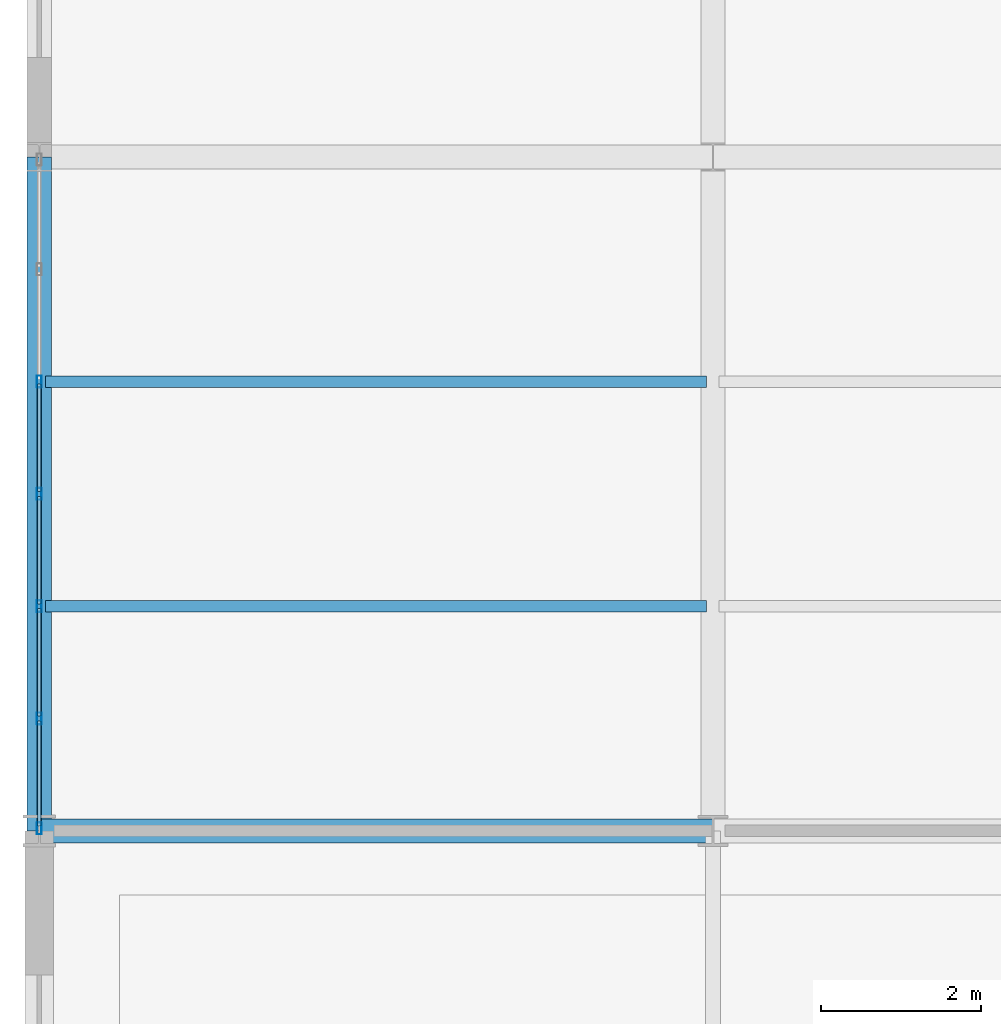
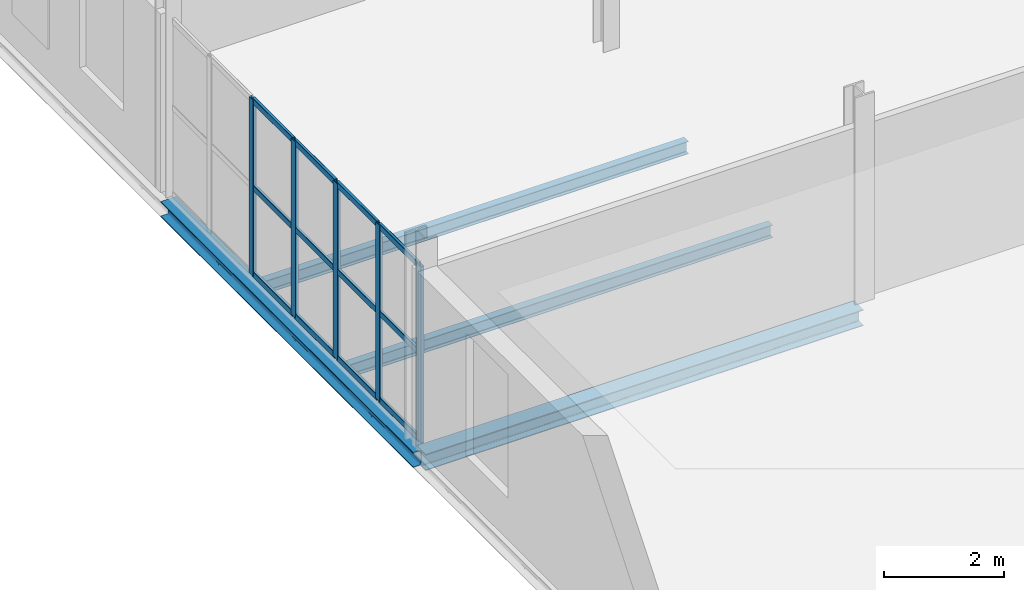
# One storey, part 38 of 163: 17 members, 4 beams, 1 element without a shape of its own.
"""IFC4 building model written with IfcOpenShell, lengths in metres."""

from ifc_helpers import new_model, si_unit, direction, frame, origin, origin_2d, place, context, subcontext, project, spatial, hollow_rectangle, i_section, extrude, material, layer, layer_set, material_profile, profile_set, type_object, element, aggregate, save


model = new_model("IFC4")

# Units and contexts
model_context = context("Model", 3, precision=1e-05, world=origin(), true_north=direction((0.0, 1.0)))
body_context = subcontext(model_context, "Body", "Model", "MODEL_VIEW")
ifc_project = project(units=[si_unit("LENGTHUNIT", "METRE"), si_unit("AREAUNIT", "SQUARE_METRE"), si_unit("VOLUMEUNIT", "CUBIC_METRE"), si_unit("PLANEANGLEUNIT", "RADIAN"), si_unit("MASSUNIT", "GRAM", prefix="KILO")], contexts=[model_context])

# Site, building, storey
site_placement = place(None, origin())
site = spatial("IfcSite", under=ifc_project, at=site_placement, CompositionType="ELEMENT")
building_placement = place(site_placement, origin())
building = spatial("IfcBuilding", under=site, at=building_placement, Name="Qalvenar Corner Mobility Hub", CompositionType="ELEMENT")
storey_placement = place(building_placement, frame((0.0, 0.0, 4.800048828125)))
storey = spatial("IfcBuildingStorey", under=building, at=storey_placement, Name="L01", CompositionType="ELEMENT", Elevation=4.800048828125)

# Beams
ifc_material_1 = material(Name="Steel S355", Category="steel")
ifc_material_profile_1 = material_profile(ifc_material_1, i_section(OverallWidth=0.14599609375, OverallDepth=0.258056640625, WebThickness=0.006103515625, FlangeThickness=0.009033203125, FilletRadius=0.011962890625, at=origin_2d()), Name="W250x32.7")
ifc_profile_set_1 = profile_set([ifc_material_profile_1], Name="Steel S355")
beam_type_1 = type_object("IfcBeamType", Name="BM-JST250", PredefinedType="JOIST", material=ifc_profile_set_1)
for number, where, z_axis, x_axis, name in (
    (1, (0.077880859375, 44.800048828125, -0.30908203125), (1.0, 0.0, 0.0), (0.0, 1.0, 0.0), "Composite Floor Joist J-1210"),
    (2, (0.077880859375, 47.60009765625, -0.30908203125), (1.0, 0.0, 0.0), (0.0, 1.0, 0.0), "Composite Floor Joist J-1211"),
):
    element("IfcBeam", number, at=place(storey_placement, frame(where, z_axis=z_axis, x_axis=x_axis)), inside=storey, type_object=beam_type_1, Name=name, PredefinedType="JOIST", context=body_context, shape_type="SweptSolid", body=[
        extrude(i_section(OverallWidth=0.14599609375, OverallDepth=0.258056640625, WebThickness=0.006103515625, FlangeThickness=0.009033203125, FilletRadius=0.011962890625, at=origin_2d()), origin(), (0.0, 0.0, 1.0), 8.244140625),
    ])
ifc_material_profile_2 = material_profile(ifc_material_1, i_section(OverallWidth=0.300048828125, OverallDepth=0.31005859375, WebThickness=0.009033203125, FlangeThickness=0.015380859375, FilletRadius=0.027099609375, at=origin_2d()), Name="HEA320")
ifc_profile_set_2 = profile_set([ifc_material_profile_2], Name="Steel S355")
beam_type_2 = type_object("IfcBeamType", Name="BM-SPN320", PredefinedType="SPANDREL", material=ifc_profile_set_2)
beam_1_placement = place(storey_placement, frame((0.0, 42.0, -0.3349609375), z_axis=(0.0, 1.0, 0.0), x_axis=(-1.0, 0.0, 0.0)))
element("IfcBeam", 3, at=beam_1_placement, inside=storey, type_object=beam_type_2, Name="Primary Steel Girder GY-1180", PredefinedType="SPANDREL", context=body_context, shape_type="SweptSolid", body=[
    extrude(i_section(OverallWidth=0.300048828125, OverallDepth=0.31005859375, WebThickness=0.009033203125, FlangeThickness=0.015380859375, FilletRadius=0.027099609375, at=origin_2d()), origin(), (0.0, 0.0, 1.0), 8.39990234375),
])
ifc_material_profile_3 = material_profile(ifc_material_1, i_section(OverallWidth=0.300048828125, OverallDepth=0.330078125, WebThickness=0.009521484375, FlangeThickness=0.0166015625, FilletRadius=0.027099609375, at=origin_2d()), Name="HEA340")
ifc_profile_set_3 = profile_set([ifc_material_profile_3], Name="Steel S355")
beam_type_3 = type_object("IfcBeamType", Name="BM-SPN340", PredefinedType="SPANDREL", material=ifc_profile_set_3)
beam_2_placement = place(storey_placement, frame((0.0, 42.0, -0.344970703125), z_axis=(1.0, 0.0, 0.0), x_axis=(0.0, 1.0, 0.0)))
element("IfcBeam", 4, at=beam_2_placement, inside=storey, type_object=beam_type_3, Name="Primary Steel Girder GX-0845", PredefinedType="SPANDREL", context=body_context, shape_type="SweptSolid", body=[
    extrude(i_section(OverallWidth=0.300048828125, OverallDepth=0.330078125, WebThickness=0.009521484375, FlangeThickness=0.0166015625, FilletRadius=0.027099609375, at=origin_2d()), origin(), (0.0, 0.0, 1.0), 8.39990234375),
])

# Curtain wall, members
ifc_material_2 = material(Name="Anodised Aluminium and Low-E Glazing", Category="aluminium")
ifc_layer = layer(ifc_material_2, 0.14990234375)
ifc_layer_set = layer_set([ifc_layer], Name="Anodised Aluminium and Low-E Glazing")
curtain_wall_type = type_object("IfcCurtainWallType", Name="CW-CYC-84X39", PredefinedType="NOTDEFINED", material=ifc_layer_set)
curtain_wall_placement = place(storey_placement, origin())
curtain_wall = element("IfcCurtainWall", 5, at=curtain_wall_placement, inside=storey, type_object=curtain_wall_type, Name="Glazed Curtain Wall CW-V5-L01-W0", PredefinedType="NOTDEFINED")
ifc_material_3 = material(Name="Anodised Aluminium 6063-T6", Category="aluminium")
ifc_material_profile_4 = material_profile(ifc_material_3, hollow_rectangle(XDim=0.06005859375, YDim=0.14990234375, WallThickness=0.00390625, InnerFilletRadius=0.00390625, OuterFilletRadius=0.008056640625, at=origin_2d()), Name="RHS150x60x4")
ifc_profile_set_4 = profile_set([ifc_material_profile_4], Name="Anodised Aluminium 6063-T6")
member_type_1 = type_object("IfcMemberType", Name="CW-MUL150", PredefinedType="MULLION", material=ifc_profile_set_4)
member_1_placement = place(storey_placement, frame((0.0, 47.60009765625, 0.0), z_axis=(0.0, 0.0, 1.0), x_axis=(1.0, 0.0, 0.0)))
member_1 = element("IfcMember", 6, at=member_1_placement, type_object=member_type_1, Name="CW-08 mullion 3", PredefinedType="MULLION", context=body_context, shape_type="SweptSolid", body=[
    extrude(hollow_rectangle(XDim=0.06005859375, YDim=0.14990234375, WallThickness=0.00390625, InnerFilletRadius=0.00390625, OuterFilletRadius=0.008056640625, at=origin_2d()), origin(), (0.0, 0.0, 1.0), 3.570068359375),
])
member_2_placement = place(storey_placement, frame((0.0, 46.199951171875, 0.0), z_axis=(0.0, 0.0, 1.0), x_axis=(1.0, 0.0, 0.0)))
member_2 = element("IfcMember", 7, at=member_2_placement, type_object=member_type_1, Name="CW-08 mullion 4", PredefinedType="MULLION", context=body_context, shape_type="SweptSolid", body=[
    extrude(hollow_rectangle(XDim=0.06005859375, YDim=0.14990234375, WallThickness=0.00390625, InnerFilletRadius=0.00390625, OuterFilletRadius=0.008056640625, at=origin_2d()), origin(), (0.0, 0.0, 1.0), 3.570068359375),
])
member_3_placement = place(storey_placement, frame((0.0, 44.800048828125, 0.0), z_axis=(0.0, 0.0, 1.0), x_axis=(1.0, 0.0, 0.0)))
member_3 = element("IfcMember", 8, at=member_3_placement, type_object=member_type_1, Name="CW-08 mullion 5", PredefinedType="MULLION", context=body_context, shape_type="SweptSolid", body=[
    extrude(hollow_rectangle(XDim=0.06005859375, YDim=0.14990234375, WallThickness=0.00390625, InnerFilletRadius=0.00390625, OuterFilletRadius=0.008056640625, at=origin_2d()), origin(), (0.0, 0.0, 1.0), 3.570068359375),
])
member_4_placement = place(storey_placement, frame((0.0, 43.39990234375, 0.0), z_axis=(0.0, 0.0, 1.0), x_axis=(1.0, 0.0, 0.0)))
member_4 = element("IfcMember", 9, at=member_4_placement, type_object=member_type_1, Name="CW-08 mullion 6", PredefinedType="MULLION", context=body_context, shape_type="SweptSolid", body=[
    extrude(hollow_rectangle(XDim=0.06005859375, YDim=0.14990234375, WallThickness=0.00390625, InnerFilletRadius=0.00390625, OuterFilletRadius=0.008056640625, at=origin_2d()), origin(), (0.0, 0.0, 1.0), 3.570068359375),
])
member_5_placement = place(storey_placement, frame((0.0, 42.030029296875, 0.0), z_axis=(0.0, 0.0, 1.0), x_axis=(1.0, 0.0, 0.0)))
member_5 = element("IfcMember", 10, at=member_5_placement, type_object=member_type_1, Name="CW-08 mullion 7", PredefinedType="MULLION", context=body_context, shape_type="SweptSolid", body=[
    extrude(hollow_rectangle(XDim=0.06005859375, YDim=0.14990234375, WallThickness=0.00390625, InnerFilletRadius=0.00390625, OuterFilletRadius=0.008056640625, at=origin_2d()), origin(), (0.0, 0.0, 1.0), 3.570068359375),
])
ifc_material_profile_5 = material_profile(ifc_material_3, hollow_rectangle(XDim=0.054931640625, YDim=0.1201171875, WallThickness=0.00341796875, InnerFilletRadius=0.00341796875, OuterFilletRadius=0.007080078125, at=origin_2d()), Name="RHS120x55x3.5")
ifc_profile_set_5 = profile_set([ifc_material_profile_5], Name="Anodised Aluminium 6063-T6")
member_type_2 = type_object("IfcMemberType", Name="CW-TRN120", PredefinedType="USERDEFINED", material=ifc_profile_set_5)
member_6_placement = place(storey_placement, frame((0.0, 47.570068359375, 0.02734375), z_axis=(0.0, -1.0, 0.0), x_axis=(1.0, 0.0, 0.0)))
member_6 = element("IfcMember", 11, at=member_6_placement, type_object=member_type_2, Name="CW-08 transom 3.1", ObjectType="TRANSOM", PredefinedType="USERDEFINED", context=body_context, shape_type="SweptSolid", body=[
    extrude(hollow_rectangle(XDim=0.054931640625, YDim=0.1201171875, WallThickness=0.00341796875, InnerFilletRadius=0.00341796875, OuterFilletRadius=0.007080078125, at=origin_2d()), origin(), (0.0, 0.0, 1.0), 1.340087890625),
])
member_7_placement = place(storey_placement, frame((0.0, 47.570068359375, 1.784912109375), z_axis=(0.0, -1.0, 0.0), x_axis=(1.0, 0.0, 0.0)))
member_7 = element("IfcMember", 12, at=member_7_placement, type_object=member_type_2, Name="CW-08 transom 3.2", ObjectType="TRANSOM", PredefinedType="USERDEFINED", context=body_context, shape_type="SweptSolid", body=[
    extrude(hollow_rectangle(XDim=0.054931640625, YDim=0.1201171875, WallThickness=0.00341796875, InnerFilletRadius=0.00341796875, OuterFilletRadius=0.007080078125, at=origin_2d()), origin(), (0.0, 0.0, 1.0), 1.340087890625),
])
member_8_placement = place(storey_placement, frame((0.0, 47.570068359375, 3.54248046875), z_axis=(0.0, -1.0, 0.0), x_axis=(1.0, 0.0, 0.0)))
member_8 = element("IfcMember", 13, at=member_8_placement, type_object=member_type_2, Name="CW-08 transom 3.3", ObjectType="TRANSOM", PredefinedType="USERDEFINED", context=body_context, shape_type="SweptSolid", body=[
    extrude(hollow_rectangle(XDim=0.054931640625, YDim=0.1201171875, WallThickness=0.00341796875, InnerFilletRadius=0.00341796875, OuterFilletRadius=0.007080078125, at=origin_2d()), origin(), (0.0, 0.0, 1.0), 1.340087890625),
])
member_9_placement = place(storey_placement, frame((0.0, 46.169921875, 0.02734375), z_axis=(0.0, -1.0, 0.0), x_axis=(1.0, 0.0, 0.0)))
member_9 = element("IfcMember", 14, at=member_9_placement, type_object=member_type_2, Name="CW-08 transom 4.1", ObjectType="TRANSOM", PredefinedType="USERDEFINED", context=body_context, shape_type="SweptSolid", body=[
    extrude(hollow_rectangle(XDim=0.054931640625, YDim=0.1201171875, WallThickness=0.00341796875, InnerFilletRadius=0.00341796875, OuterFilletRadius=0.007080078125, at=origin_2d()), origin(), (0.0, 0.0, 1.0), 1.33984375),
])
member_10_placement = place(storey_placement, frame((0.0, 46.169921875, 1.784912109375), z_axis=(0.0, -1.0, 0.0), x_axis=(1.0, 0.0, 0.0)))
member_10 = element("IfcMember", 15, at=member_10_placement, type_object=member_type_2, Name="CW-08 transom 4.2", ObjectType="TRANSOM", PredefinedType="USERDEFINED", context=body_context, shape_type="SweptSolid", body=[
    extrude(hollow_rectangle(XDim=0.054931640625, YDim=0.1201171875, WallThickness=0.00341796875, InnerFilletRadius=0.00341796875, OuterFilletRadius=0.007080078125, at=origin_2d()), origin(), (0.0, 0.0, 1.0), 1.33984375),
])
member_11_placement = place(storey_placement, frame((0.0, 46.169921875, 3.54248046875), z_axis=(0.0, -1.0, 0.0), x_axis=(1.0, 0.0, 0.0)))
member_11 = element("IfcMember", 16, at=member_11_placement, type_object=member_type_2, Name="CW-08 transom 4.3", ObjectType="TRANSOM", PredefinedType="USERDEFINED", context=body_context, shape_type="SweptSolid", body=[
    extrude(hollow_rectangle(XDim=0.054931640625, YDim=0.1201171875, WallThickness=0.00341796875, InnerFilletRadius=0.00341796875, OuterFilletRadius=0.007080078125, at=origin_2d()), origin(), (0.0, 0.0, 1.0), 1.33984375),
])
member_12_placement = place(storey_placement, frame((0.0, 44.77001953125, 0.02734375), z_axis=(0.0, -1.0, 0.0), x_axis=(1.0, 0.0, 0.0)))
member_12 = element("IfcMember", 17, at=member_12_placement, type_object=member_type_2, Name="CW-08 transom 5.1", ObjectType="TRANSOM", PredefinedType="USERDEFINED", context=body_context, shape_type="SweptSolid", body=[
    extrude(hollow_rectangle(XDim=0.054931640625, YDim=0.1201171875, WallThickness=0.00341796875, InnerFilletRadius=0.00341796875, OuterFilletRadius=0.007080078125, at=origin_2d()), origin(), (0.0, 0.0, 1.0), 1.340087890625),
])
member_13_placement = place(storey_placement, frame((0.0, 44.77001953125, 1.784912109375), z_axis=(0.0, -1.0, 0.0), x_axis=(1.0, 0.0, 0.0)))
member_13 = element("IfcMember", 18, at=member_13_placement, type_object=member_type_2, Name="CW-08 transom 5.2", ObjectType="TRANSOM", PredefinedType="USERDEFINED", context=body_context, shape_type="SweptSolid", body=[
    extrude(hollow_rectangle(XDim=0.054931640625, YDim=0.1201171875, WallThickness=0.00341796875, InnerFilletRadius=0.00341796875, OuterFilletRadius=0.007080078125, at=origin_2d()), origin(), (0.0, 0.0, 1.0), 1.340087890625),
])
member_14_placement = place(storey_placement, frame((0.0, 44.77001953125, 3.54248046875), z_axis=(0.0, -1.0, 0.0), x_axis=(1.0, 0.0, 0.0)))
member_14 = element("IfcMember", 19, at=member_14_placement, type_object=member_type_2, Name="CW-08 transom 5.3", ObjectType="TRANSOM", PredefinedType="USERDEFINED", context=body_context, shape_type="SweptSolid", body=[
    extrude(hollow_rectangle(XDim=0.054931640625, YDim=0.1201171875, WallThickness=0.00341796875, InnerFilletRadius=0.00341796875, OuterFilletRadius=0.007080078125, at=origin_2d()), origin(), (0.0, 0.0, 1.0), 1.340087890625),
])
member_15_placement = place(storey_placement, frame((0.0, 43.3701171875, 0.02734375), z_axis=(0.0, -1.0, 0.0), x_axis=(1.0, 0.0, 0.0)))
member_15 = element("IfcMember", 20, at=member_15_placement, type_object=member_type_2, Name="CW-08 transom 6.1", ObjectType="TRANSOM", PredefinedType="USERDEFINED", context=body_context, shape_type="SweptSolid", body=[
    extrude(hollow_rectangle(XDim=0.054931640625, YDim=0.1201171875, WallThickness=0.00341796875, InnerFilletRadius=0.00341796875, OuterFilletRadius=0.007080078125, at=origin_2d()), origin(), (0.0, 0.0, 1.0), 1.31005859375),
])
member_16_placement = place(storey_placement, frame((0.0, 43.3701171875, 1.784912109375), z_axis=(0.0, -1.0, 0.0), x_axis=(1.0, 0.0, 0.0)))
member_16 = element("IfcMember", 21, at=member_16_placement, type_object=member_type_2, Name="CW-08 transom 6.2", ObjectType="TRANSOM", PredefinedType="USERDEFINED", context=body_context, shape_type="SweptSolid", body=[
    extrude(hollow_rectangle(XDim=0.054931640625, YDim=0.1201171875, WallThickness=0.00341796875, InnerFilletRadius=0.00341796875, OuterFilletRadius=0.007080078125, at=origin_2d()), origin(), (0.0, 0.0, 1.0), 1.31005859375),
])
member_17_placement = place(storey_placement, frame((0.0, 43.3701171875, 3.54248046875), z_axis=(0.0, -1.0, 0.0), x_axis=(1.0, 0.0, 0.0)))
member_17 = element("IfcMember", 22, at=member_17_placement, type_object=member_type_2, Name="CW-08 transom 6.3", ObjectType="TRANSOM", PredefinedType="USERDEFINED", context=body_context, shape_type="SweptSolid", body=[
    extrude(hollow_rectangle(XDim=0.054931640625, YDim=0.1201171875, WallThickness=0.00341796875, InnerFilletRadius=0.00341796875, OuterFilletRadius=0.007080078125, at=origin_2d()), origin(), (0.0, 0.0, 1.0), 1.31005859375),
])
aggregate(curtain_wall, [member_1, member_2, member_3, member_4, member_5, member_6, member_7, member_8, member_9, member_10, member_11, member_12, member_13, member_14, member_15, member_16, member_17])

save(model, "model.ifc")
